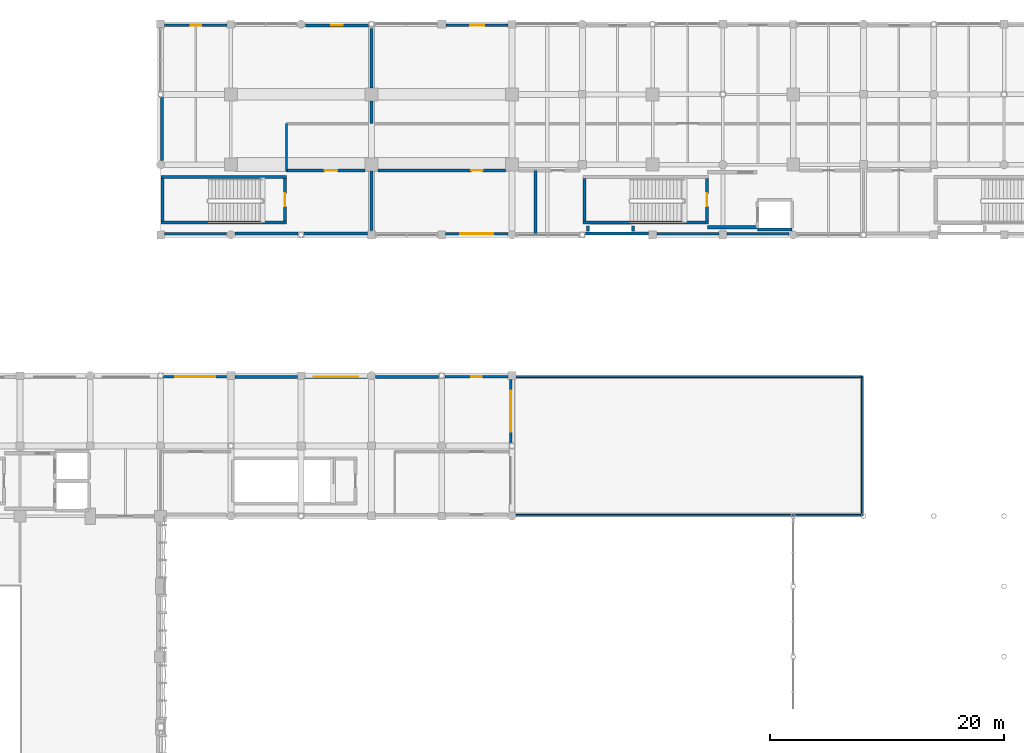
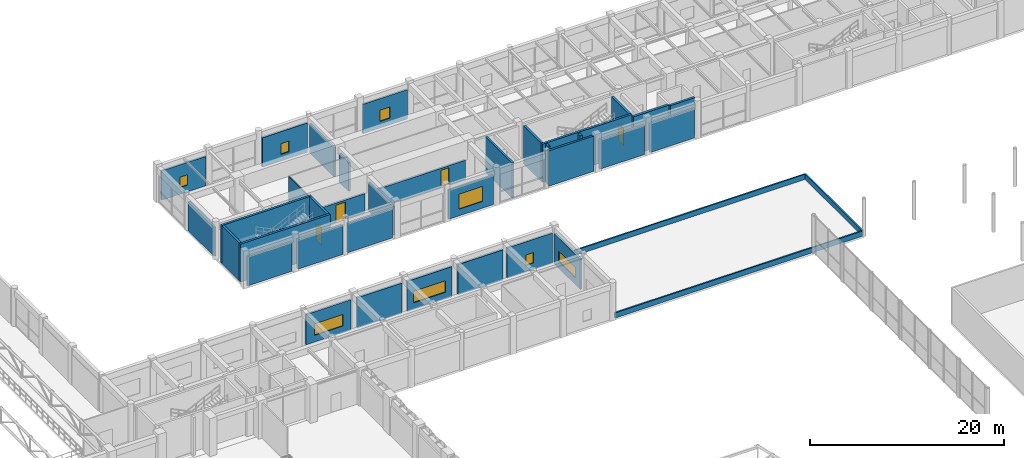
# One storey, part 100 of 123: 38 walls, 8 windows, 4 doors, 12 openings.
"""IFC4 building model written with IfcOpenShell, lengths in metres."""

from ifc_helpers import new_model, si_unit, direction, frame, frame_2d, origin, place, context, subcontext, project, spatial, rectangle, extrude, material, layer, layer_set, type_object, element, fill, save


model = new_model("IFC4")

# Units and contexts
model_context = context("Model", 3, precision=1e-05, world=origin(), true_north=direction((0.0, 1.0)))
body_context = subcontext(model_context, "Body", "Model", "MODEL_VIEW")
ifc_project = project(units=[si_unit("LENGTHUNIT", "METRE"), si_unit("AREAUNIT", "SQUARE_METRE"), si_unit("VOLUMEUNIT", "CUBIC_METRE"), si_unit("PLANEANGLEUNIT", "RADIAN"), si_unit("MASSUNIT", "GRAM", prefix="KILO"), si_unit("THERMODYNAMICTEMPERATUREUNIT", "KELVIN"), si_unit("POWERUNIT", "WATT")], contexts=[model_context])

# Site, building, storey
site_placement = place(None, origin())
site = spatial("IfcSite", under=ifc_project, at=site_placement, CompositionType="ELEMENT")
building_placement = place(site_placement, origin())
building = spatial("IfcBuilding", under=site, at=building_placement, Name="Phaisarnlok Congress Hotel", CompositionType="ELEMENT")
storey_placement = place(building_placement, frame((0.0, 0.0, 15.0)))
storey = spatial("IfcBuildingStorey", under=building, at=storey_placement, Name="L03", CompositionType="ELEMENT", Elevation=15.0)

# Wall, opening, window
ifc_material_1 = material(Name="Concrete C40/50", Category="concrete")
ifc_layer_1 = layer(ifc_material_1, 0.2099609375, Name="Concrete C40/50")
ifc_layer_set_1 = layer_set([ifc_layer_1], Name="Concrete C40/50")
wall_type_1 = type_object("IfcWallType", Name="WL-EXT-210", PredefinedType="SOLIDWALL", material=ifc_layer_set_1)
wall_1_placement = place(storey_placement, frame((95.64501953125, 95.89501953125, 0.0), z_axis=(0.0, 0.0, 1.0), x_axis=(-1.0, 0.0, 0.0)))
wall_1 = element("IfcWall", 1, at=wall_1_placement, inside=storey, type_object=wall_type_1, Name="Exterior wall EW-07 (L03)", PredefinedType="SOLIDWALL", context=body_context, shape_type="SweptSolid", body=[
    extrude(rectangle(XDim=5.385986328125, YDim=0.2099609375, at=frame_2d((2.69287109375, 0.0))), origin(), (0.0, 0.0, 1.0), 3.81005859375),
])
opening_1_placement = place(wall_1_placement, frame((2.242919921875, 0.0, 0.85009765625)))
opening_1 = element("IfcOpeningElement", 2, at=opening_1_placement, cuts=wall_1, Name="Opening W-16", PredefinedType="OPENING", context=body_context, shape_type="SweptSolid", body=[
    extrude(rectangle(XDim=0.89990234375, YDim=1.300048828125, at=frame_2d((0.449951171875, 0.64990234375))), frame((0.0, 0.114990234375, 0.0), z_axis=(0.0, -1.0, 0.0), x_axis=(1.0, 0.0, 0.0)), (0.0, 0.0, 1.0), 0.22998046875),
])
ifc_material_2 = material(Name="Thermally Broken Aluminium & Low-E Double Glazing", Category="aluminium")
window_type_1 = type_object("IfcWindowType", Name="WIN-POD-0900", PartitioningType="SINGLE_PANEL", PredefinedType="WINDOW", material=ifc_material_2)
window_1_placement = place(opening_1_placement, origin())
window_1 = element("IfcWindow", 3, at=window_1_placement, inside=storey, type_object=window_type_1, Name="Podium window W-16 (L03)", OverallHeight=1.300048828125, OverallWidth=0.89990234375, PartitioningType="SINGLE_PANEL", PredefinedType="WINDOW", context=body_context, shape_type="SweptSolid", body=[
    extrude(rectangle(XDim=0.89990234375, YDim=1.300048828125, at=frame_2d((0.449951171875, 0.64990234375))), frame((0.0, 0.030029296875, 0.0), z_axis=(0.0, -1.0, 0.0), x_axis=(1.0, 0.0, 0.0)), (0.0, 0.0, 1.0), 0.06005859375),
])
fill(opening_1, window_1)

wall_2_placement = place(storey_placement, frame((71.64501953125, 95.89501953125, 0.0), z_axis=(0.0, 0.0, 1.0), x_axis=(-1.0, 0.0, 0.0)))
wall_2 = element("IfcWall", 4, at=wall_2_placement, inside=storey, type_object=wall_type_1, Name="Exterior wall EW-07 (L03)", PredefinedType="SOLIDWALL", context=body_context, shape_type="SweptSolid", body=[
    extrude(rectangle(XDim=5.385986328125, YDim=0.2099609375, at=frame_2d((2.69287109375, 0.0))), origin(), (0.0, 0.0, 1.0), 3.81005859375),
])
opening_2_placement = place(wall_2_placement, frame((0.992919921875, 0.0, 0.85009765625)))
opening_2 = element("IfcOpeningElement", 5, at=opening_2_placement, cuts=wall_2, Name="Opening W-18", PredefinedType="OPENING", context=body_context, shape_type="SweptSolid", body=[
    extrude(rectangle(XDim=3.39990234375, YDim=1.449951171875, at=frame_2d((1.699951171875, 0.72509765625))), frame((0.0, 0.114990234375, 0.0), z_axis=(0.0, -1.0, 0.0), x_axis=(1.0, 0.0, 0.0)), (0.0, 0.0, 1.0), 0.22998046875),
])
window_type_2 = type_object("IfcWindowType", Name="WIN-RIB-3400", PartitioningType="SINGLE_PANEL", PredefinedType="WINDOW", material=ifc_material_2)
window_2_placement = place(opening_2_placement, origin())
window_2 = element("IfcWindow", 6, at=window_2_placement, inside=storey, type_object=window_type_2, Name="Podium window W-18 (L03)", OverallHeight=1.449951171875, OverallWidth=3.39990234375, PartitioningType="SINGLE_PANEL", PredefinedType="WINDOW", context=body_context, shape_type="SweptSolid", body=[
    extrude(rectangle(XDim=3.39990234375, YDim=1.449951171875, at=frame_2d((1.699951171875, 0.72509765625))), frame((0.0, 0.030029296875, 0.0), z_axis=(0.0, -1.0, 0.0), x_axis=(1.0, 0.0, 0.0)), (0.0, 0.0, 1.0), 0.06005859375),
])
fill(opening_2, window_2)

# Wall
wall_3_placement = place(storey_placement, frame((66.330078125, 108.10498046875, 0.0), z_axis=(0.0, 0.0, 1.0), x_axis=(1.0, 0.0, 0.0)))
element("IfcWall", 7, at=wall_3_placement, inside=storey, type_object=wall_type_1, Name="Exterior wall EW-07 (L03)", PredefinedType="SOLIDWALL", context=body_context, shape_type="SweptSolid", body=[
    extrude(rectangle(XDim=5.31494140625, YDim=0.2099609375, at=frame_2d((2.657470703125, 0.0))), origin(), (0.0, 0.0, 1.0), 3.699951171875),
])

# Wall, opening, window
wall_4_placement = place(storey_placement, frame((90.330078125, 108.10498046875, 0.0), z_axis=(0.0, 0.0, 1.0), x_axis=(1.0, 0.0, 0.0)))
wall_4 = element("IfcWall", 8, at=wall_4_placement, inside=storey, type_object=wall_type_1, Name="Exterior wall EW-07 (L03)", PredefinedType="SOLIDWALL", context=body_context, shape_type="SweptSolid", body=[
    extrude(rectangle(XDim=5.31494140625, YDim=0.2099609375, at=frame_2d((2.657470703125, 0.0))), origin(), (0.0, 0.0, 1.0), 3.699951171875),
])
opening_3_placement = place(wall_4_placement, frame((1.257080078125, 0.0, 0.85009765625)))
opening_3 = element("IfcOpeningElement", 9, at=opening_3_placement, cuts=wall_4, Name="Opening W-06", PredefinedType="OPENING", context=body_context, shape_type="SweptSolid", body=[
    extrude(rectangle(XDim=2.800048828125, YDim=1.89990234375, at=frame_2d((1.39990234375, 0.949951171875))), frame((0.0, 0.114990234375, 0.0), z_axis=(0.0, -1.0, 0.0), x_axis=(1.0, 0.0, 0.0)), (0.0, 0.0, 1.0), 0.22998046875),
])
window_type_3 = type_object("IfcWindowType", Name="WIN-POD-2800", PartitioningType="SINGLE_PANEL", PredefinedType="WINDOW", material=ifc_material_2)
window_3_placement = place(opening_3_placement, origin())
window_3 = element("IfcWindow", 10, at=window_3_placement, inside=storey, type_object=window_type_3, Name="Podium window W-06 (L03)", OverallHeight=1.89990234375, OverallWidth=2.800048828125, PartitioningType="SINGLE_PANEL", PredefinedType="WINDOW", context=body_context, shape_type="SweptSolid", body=[
    extrude(rectangle(XDim=2.800048828125, YDim=1.89990234375, at=frame_2d((1.39990234375, 0.949951171875))), frame((0.0, 0.030029296875, 0.0), z_axis=(0.0, -1.0, 0.0), x_axis=(1.0, 0.0, 0.0)), (0.0, 0.0, 1.0), 0.06005859375),
])
fill(opening_3, window_3)

# Wall
wall_5_placement = place(storey_placement, frame((114.330078125, 108.10498046875, 0.0), z_axis=(0.0, 0.0, 1.0), x_axis=(1.0, 0.0, 0.0)))
element("IfcWall", 11, at=wall_5_placement, inside=storey, type_object=wall_type_1, Name="Exterior wall EW-07 (L03)", PredefinedType="SOLIDWALL", context=body_context, shape_type="SweptSolid", body=[
    extrude(rectangle(XDim=5.31494140625, YDim=0.2099609375, at=frame_2d((2.657470703125, 0.0))), origin(), (0.0, 0.0, 1.0), 3.699951171875),
])

# Wall, opening, window
wall_6_placement = place(storey_placement, frame((95.669921875, 125.89501953125, 0.0), z_axis=(0.0, 0.0, 1.0), x_axis=(-1.0, 0.0, 0.0)))
wall_6 = element("IfcWall", 12, at=wall_6_placement, inside=storey, type_object=wall_type_1, Name="Exterior wall EW-07 (L03)", PredefinedType="SOLIDWALL", context=body_context, shape_type="SweptSolid", body=[
    extrude(rectangle(XDim=5.31494140625, YDim=0.2099609375, at=frame_2d((2.657470703125, 0.0))), origin(), (0.0, 0.0, 1.0), 3.699951171875),
])
opening_4_placement = place(wall_6_placement, frame((2.056884765625, 0.0, 0.85009765625)))
opening_4 = element("IfcOpeningElement", 13, at=opening_4_placement, cuts=wall_6, Name="Opening W-14", PredefinedType="OPENING", context=body_context, shape_type="SweptSolid", body=[
    extrude(rectangle(XDim=1.199951171875, YDim=1.39990234375, at=frame_2d((0.60009765625, 0.699951171875))), frame((0.0, 0.114990234375, 0.0), z_axis=(0.0, -1.0, 0.0), x_axis=(1.0, 0.0, 0.0)), (0.0, 0.0, 1.0), 0.22998046875),
])
window_type_4 = type_object("IfcWindowType", Name="WIN-POD-1200", PartitioningType="SINGLE_PANEL", PredefinedType="WINDOW", material=ifc_material_2)
window_4_placement = place(opening_4_placement, origin())
window_4 = element("IfcWindow", 14, at=window_4_placement, inside=storey, type_object=window_type_4, Name="Podium window W-14 (L03)", OverallHeight=1.39990234375, OverallWidth=1.199951171875, PartitioningType="SINGLE_PANEL", PredefinedType="WINDOW", context=body_context, shape_type="SweptSolid", body=[
    extrude(rectangle(XDim=1.199951171875, YDim=1.39990234375, at=frame_2d((0.60009765625, 0.699951171875))), frame((0.0, 0.030029296875, 0.0), z_axis=(0.0, -1.0, 0.0), x_axis=(1.0, 0.0, 0.0)), (0.0, 0.0, 1.0), 0.06005859375),
])
fill(opening_4, window_4)

wall_7_placement = place(storey_placement, frame((71.669921875, 125.89501953125, 0.0), z_axis=(0.0, 0.0, 1.0), x_axis=(-1.0, 0.0, 0.0)))
wall_7 = element("IfcWall", 15, at=wall_7_placement, inside=storey, type_object=wall_type_1, Name="Exterior wall EW-07 (L03)", PredefinedType="SOLIDWALL", context=body_context, shape_type="SweptSolid", body=[
    extrude(rectangle(XDim=5.31494140625, YDim=0.2099609375, at=frame_2d((2.657470703125, 0.0))), origin(), (0.0, 0.0, 1.0), 3.699951171875),
])
opening_5_placement = place(wall_7_placement, frame((2.20703125, 0.0, 0.85009765625)))
opening_5 = element("IfcOpeningElement", 16, at=opening_5_placement, cuts=wall_7, Name="Opening W-16", PredefinedType="OPENING", context=body_context, shape_type="SweptSolid", body=[
    extrude(rectangle(XDim=0.89990234375, YDim=1.300048828125, at=frame_2d((0.449951171875, 0.64990234375))), frame((0.0, 0.114990234375, 0.0), z_axis=(0.0, -1.0, 0.0), x_axis=(1.0, 0.0, 0.0)), (0.0, 0.0, 1.0), 0.22998046875),
])
window_5_placement = place(opening_5_placement, origin())
window_5 = element("IfcWindow", 17, at=window_5_placement, inside=storey, type_object=window_type_1, Name="Podium window W-16 (L03)", OverallHeight=1.300048828125, OverallWidth=0.89990234375, PartitioningType="SINGLE_PANEL", PredefinedType="WINDOW", context=body_context, shape_type="SweptSolid", body=[
    extrude(rectangle(XDim=0.89990234375, YDim=1.300048828125, at=frame_2d((0.449951171875, 0.64990234375))), frame((0.0, 0.030029296875, 0.0), z_axis=(0.0, -1.0, 0.0), x_axis=(1.0, 0.0, 0.0)), (0.0, 0.0, 1.0), 0.06005859375),
])
fill(opening_5, window_5)

ifc_layer_2 = layer(ifc_material_1, 0.22998046875, Name="Concrete C40/50")
ifc_layer_set_2 = layer_set([ifc_layer_2], Name="Concrete C40/50")
wall_type_2 = type_object("IfcWallType", Name="WL-EXT-230", PredefinedType="SOLIDWALL", material=ifc_layer_set_2)
wall_8_placement = place(storey_placement, frame((95.885009765625, 90.259033203125, 0.0), z_axis=(0.0, 0.0, 1.0), x_axis=(0.0, 1.0, 0.0)))
wall_8 = element("IfcWall", 18, at=wall_8_placement, inside=storey, type_object=wall_type_2, Name="Exterior wall EW-06 (L03)", PredefinedType="SOLIDWALL", context=body_context, shape_type="SweptSolid", body=[
    extrude(rectangle(XDim=5.385986328125, YDim=0.22998046875, at=frame_2d((2.69287109375, 0.0))), origin(), (0.0, 0.0, 1.0), 3.81005859375),
])
opening_6_placement = place(wall_8_placement, frame((0.943115234375, 0.0, 0.85009765625)))
opening_6 = element("IfcOpeningElement", 19, at=opening_6_placement, cuts=wall_8, Name="Opening W-20", PredefinedType="OPENING", context=body_context, shape_type="SweptSolid", body=[
    extrude(rectangle(XDim=3.5, YDim=1.300048828125, at=frame_2d((1.75, 0.64990234375))), frame((0.0, 0.125, 0.0), z_axis=(0.0, -1.0, 0.0), x_axis=(1.0, 0.0, 0.0)), (0.0, 0.0, 1.0), 0.25),
])
window_type_5 = type_object("IfcWindowType", Name="WIN-CLER-3500", PartitioningType="SINGLE_PANEL", PredefinedType="WINDOW", material=ifc_material_2)
window_6_placement = place(opening_6_placement, origin())
window_6 = element("IfcWindow", 20, at=window_6_placement, inside=storey, type_object=window_type_5, Name="Podium window W-20 (L03)", OverallHeight=1.300048828125, OverallWidth=3.5, PartitioningType="SINGLE_PANEL", PredefinedType="WINDOW", context=body_context, shape_type="SweptSolid", body=[
    extrude(rectangle(XDim=3.5, YDim=1.300048828125, at=frame_2d((1.75, 0.64990234375))), frame((0.0, 0.030029296875, 0.0), z_axis=(0.0, -1.0, 0.0), x_axis=(1.0, 0.0, 0.0)), (0.0, 0.0, 1.0), 0.06005859375),
])
fill(opening_6, window_6)

# Walls
wall_9_placement = place(storey_placement, frame((77.669921875, 95.885009765625, 0.0), z_axis=(0.0, 0.0, 1.0), x_axis=(-1.0, 0.0, 0.0)))
element("IfcWall", 21, at=wall_9_placement, inside=storey, type_object=wall_type_2, Name="Exterior wall EW-06 (L03)", PredefinedType="SOLIDWALL", context=body_context, shape_type="SweptSolid", body=[
    extrude(rectangle(XDim=5.31494140625, YDim=0.22998046875, at=frame_2d((2.657470703125, 0.0))), origin(), (0.0, 0.0, 1.0), 3.81005859375),
])
wall_10_placement = place(storey_placement, frame((108.35498046875, 108.114990234375, 0.0), z_axis=(0.0, 0.0, 1.0), x_axis=(1.0, 0.0, 0.0)))
element("IfcWall", 22, at=wall_10_placement, inside=storey, type_object=wall_type_2, Name="Exterior wall EW-06 (L03)", PredefinedType="SOLIDWALL", context=body_context, shape_type="SweptSolid", body=[
    extrude(rectangle(XDim=5.31494140625, YDim=0.22998046875, at=frame_2d((2.657470703125, 0.0))), origin(), (0.0, 0.0, 1.0), 3.699951171875),
])

# Wall, opening, window
ifc_layer_3 = layer(ifc_material_1, 0.25, Name="Concrete C40/50")
ifc_layer_set_3 = layer_set([ifc_layer_3], Name="Concrete C40/50")
wall_type_3 = type_object("IfcWallType", Name="WL-EXT-250", PredefinedType="SOLIDWALL", material=ifc_layer_set_3)
wall_11_placement = place(storey_placement, frame((83.64501953125, 95.875, 0.0), z_axis=(0.0, 0.0, 1.0), x_axis=(-1.0, 0.0, 0.0)))
wall_11 = element("IfcWall", 23, at=wall_11_placement, inside=storey, type_object=wall_type_3, Name="Exterior wall EW-05 (L03)", PredefinedType="SOLIDWALL", context=body_context, shape_type="SweptSolid", body=[
    extrude(rectangle(XDim=5.31494140625, YDim=0.25, at=frame_2d((2.657470703125, 0.0))), origin(), (0.0, 0.0, 1.0), 3.81005859375),
])
opening_7_placement = place(wall_11_placement, frame((0.757080078125, 0.0, 0.85009765625)))
opening_7 = element("IfcOpeningElement", 24, at=opening_7_placement, cuts=wall_11, Name="Opening W-17", PredefinedType="OPENING", context=body_context, shape_type="SweptSolid", body=[
    extrude(rectangle(XDim=3.800048828125, YDim=1.449951171875, at=frame_2d((1.89990234375, 0.72509765625))), frame((0.0, 0.135009765625, 0.0), z_axis=(0.0, -1.0, 0.0), x_axis=(1.0, 0.0, 0.0)), (0.0, 0.0, 1.0), 0.27001953125),
])
window_type_6 = type_object("IfcWindowType", Name="WIN-RIB-3800", PartitioningType="SINGLE_PANEL", PredefinedType="WINDOW", material=ifc_material_2)
window_7_placement = place(opening_7_placement, origin())
window_7 = element("IfcWindow", 25, at=window_7_placement, inside=storey, type_object=window_type_6, Name="Podium window W-17 (L03)", OverallHeight=1.449951171875, OverallWidth=3.800048828125, PartitioningType="SINGLE_PANEL", PredefinedType="WINDOW", context=body_context, shape_type="SweptSolid", body=[
    extrude(rectangle(XDim=3.800048828125, YDim=1.449951171875, at=frame_2d((1.89990234375, 0.72509765625))), frame((0.0, 0.030029296875, 0.0), z_axis=(0.0, -1.0, 0.0), x_axis=(1.0, 0.0, 0.0)), (0.0, 0.0, 1.0), 0.06005859375),
])
fill(opening_7, window_7)

# Walls
wall_12_placement = place(storey_placement, frame((78.259033203125, 108.125, 0.0), z_axis=(0.0, 0.0, 1.0), x_axis=(1.0, 0.0, 0.0)))
element("IfcWall", 26, at=wall_12_placement, inside=storey, type_object=wall_type_3, Name="Exterior wall EW-05 (L03)", PredefinedType="SOLIDWALL", context=body_context, shape_type="SweptSolid", body=[
    extrude(rectangle(XDim=5.385986328125, YDim=0.25, at=frame_2d((2.69287109375, 0.0))), origin(), (0.0, 0.0, 1.0), 3.699951171875),
])
wall_13_placement = place(storey_placement, frame((102.259033203125, 108.125, 0.0), z_axis=(0.0, 0.0, 1.0), x_axis=(1.0, 0.0, 0.0)))
element("IfcWall", 27, at=wall_13_placement, inside=storey, type_object=wall_type_3, Name="Exterior wall EW-05 (L03)", PredefinedType="SOLIDWALL", context=body_context, shape_type="SweptSolid", body=[
    extrude(rectangle(XDim=5.385986328125, YDim=0.25, at=frame_2d((2.69287109375, 0.0))), origin(), (0.0, 0.0, 1.0), 4.449951171875),
])

# Wall, opening, window
wall_14_placement = place(storey_placement, frame((83.740966796875, 125.875, 0.0), z_axis=(0.0, 0.0, 1.0), x_axis=(-1.0, 0.0, 0.0)))
wall_14 = element("IfcWall", 28, at=wall_14_placement, inside=storey, type_object=wall_type_3, Name="Exterior wall EW-05 (L03)", PredefinedType="SOLIDWALL", context=body_context, shape_type="SweptSolid", body=[
    extrude(rectangle(XDim=5.385986328125, YDim=0.25, at=frame_2d((2.69287109375, 0.0))), origin(), (0.0, 0.0, 1.0), 3.699951171875),
])
opening_8_placement = place(wall_14_placement, frame((2.193115234375, 0.0, 0.85009765625)))
opening_8 = element("IfcOpeningElement", 29, at=opening_8_placement, cuts=wall_14, Name="Opening W-15", PredefinedType="OPENING", context=body_context, shape_type="SweptSolid", body=[
    extrude(rectangle(XDim=1.0, YDim=1.35009765625, at=frame_2d((0.5, 0.675048828125))), frame((0.0, 0.135009765625, 0.0), z_axis=(0.0, -1.0, 0.0), x_axis=(1.0, 0.0, 0.0)), (0.0, 0.0, 1.0), 0.27001953125),
])
window_type_7 = type_object("IfcWindowType", Name="WIN-POD-1000", PartitioningType="SINGLE_PANEL", PredefinedType="WINDOW", material=ifc_material_2)
window_8_placement = place(opening_8_placement, origin())
window_8 = element("IfcWindow", 30, at=window_8_placement, inside=storey, type_object=window_type_7, Name="Podium window W-15 (L03)", OverallHeight=1.35009765625, OverallWidth=1.0, PartitioningType="SINGLE_PANEL", PredefinedType="WINDOW", context=body_context, shape_type="SweptSolid", body=[
    extrude(rectangle(XDim=1.0, YDim=1.35009765625, at=frame_2d((0.5, 0.675048828125))), frame((0.0, 0.030029296875, 0.0), z_axis=(0.0, -1.0, 0.0), x_axis=(1.0, 0.0, 0.0)), (0.0, 0.0, 1.0), 0.06005859375),
])
fill(opening_8, window_8)

# Walls
wall_15_placement = place(storey_placement, frame((66.125, 119.740966796875, 0.0), z_axis=(0.0, 0.0, 1.0), x_axis=(0.0, -1.0, 0.0)))
element("IfcWall", 31, at=wall_15_placement, inside=storey, type_object=wall_type_3, Name="Exterior wall EW-05 (L03)", PredefinedType="SOLIDWALL", context=body_context, shape_type="SweptSolid", body=[
    extrude(rectangle(XDim=5.385986328125, YDim=0.25, at=frame_2d((2.69287109375, 0.0))), origin(), (0.0, 0.0, 1.0), 3.64990234375),
])
ifc_layer_4 = layer(ifc_material_1, 0.27001953125, Name="Concrete C40/50")
ifc_layer_set_4 = layer_set([ifc_layer_4], Name="Concrete C40/50")
wall_type_4 = type_object("IfcWallType", Name="WL-EXT-270", PredefinedType="SOLIDWALL", material=ifc_layer_set_4)
wall_16_placement = place(storey_placement, frame((89.740966796875, 95.864990234375, 0.0), z_axis=(0.0, 0.0, 1.0), x_axis=(-1.0, 0.0, 0.0)))
element("IfcWall", 32, at=wall_16_placement, inside=storey, type_object=wall_type_4, Name="Exterior wall EW-04 (L03)", PredefinedType="SOLIDWALL", context=body_context, shape_type="SweptSolid", body=[
    extrude(rectangle(XDim=5.385986328125, YDim=0.27001953125, at=frame_2d((2.69287109375, 0.0))), origin(), (0.0, 0.0, 1.0), 3.81005859375),
])
wall_17_placement = place(storey_placement, frame((72.35498046875, 108.135009765625, 0.0), z_axis=(0.0, 0.0, 1.0), x_axis=(1.0, 0.0, 0.0)))
element("IfcWall", 33, at=wall_17_placement, inside=storey, type_object=wall_type_4, Name="Exterior wall EW-04 (L03)", PredefinedType="SOLIDWALL", context=body_context, shape_type="SweptSolid", body=[
    extrude(rectangle(XDim=5.385986328125, YDim=0.27001953125, at=frame_2d((2.69287109375, 0.0))), origin(), (0.0, 0.0, 1.0), 3.699951171875),
])
ifc_material_3 = material(Name="Moisture-Resistant Gypsum Partition", Category="gypsum")
ifc_layer_5 = layer(ifc_material_3, 0.135009765625, Name="Moisture-Resistant Gypsum Partition")
ifc_layer_set_5 = layer_set([ifc_layer_5], Name="Moisture-Resistant Gypsum Partition")
wall_type_5 = type_object("IfcWallType", Name="WL-INT-135", PredefinedType="PARTITIONING", material=ifc_layer_set_5)
wall_18_placement = place(storey_placement, frame((76.75, 113.5, 0.0), z_axis=(0.0, 0.0, 1.0), x_axis=(0.0, 1.0, 0.0)))
element("IfcWall", 34, at=wall_18_placement, inside=storey, type_object=wall_type_5, Name="Interior partition wall IW-06 (L03)", PredefinedType="PARTITIONING", context=body_context, shape_type="SweptSolid", body=[
    extrude(rectangle(XDim=4.0, YDim=0.135009765625, at=frame_2d((2.0, 0.0))), origin(), (0.0, 0.0, 1.0), 4.449951171875),
])
ifc_layer_6 = layer(ifc_material_1, 0.239990234375, Name="Concrete C40/50")
ifc_layer_set_6 = layer_set([ifc_layer_6], Name="Concrete C40/50")
wall_type_6 = type_object("IfcWallType", Name="WL-INT-240", PredefinedType="PARTITIONING", material=ifc_layer_set_6)
wall_19_placement = place(storey_placement, frame((84.0, 108.3701171875, 0.0), z_axis=(0.0, 0.0, 1.0), x_axis=(0.0, 1.0, 0.0)))
element("IfcWall", 35, at=wall_19_placement, inside=storey, type_object=wall_type_6, Name="Interior partition wall IW-01 (L03)", PredefinedType="PARTITIONING", context=body_context, shape_type="SweptSolid", body=[
    extrude(rectangle(XDim=5.074951171875, YDim=0.239990234375, at=frame_2d((2.53759765625, 0.0))), origin(), (0.0, 0.0, 1.0), 3.64990234375),
])
wall_20_placement = place(storey_placement, frame((84.0, 117.5, 0.0), z_axis=(0.0, 0.0, 1.0), x_axis=(0.0, 1.0, 0.0)))
element("IfcWall", 36, at=wall_20_placement, inside=storey, type_object=wall_type_6, Name="Interior partition wall IW-01 (L03)", PredefinedType="PARTITIONING", context=body_context, shape_type="SweptSolid", body=[
    extrude(rectangle(XDim=1.945068359375, YDim=0.239990234375, at=frame_2d((0.97265625, 0.0))), origin(), (0.0, 0.0, 1.0), 3.64990234375),
])
wall_21_placement = place(storey_placement, frame((84.0, 120.554931640625, 0.0), z_axis=(0.0, 0.0, 1.0), x_axis=(0.0, 1.0, 0.0)))
element("IfcWall", 37, at=wall_21_placement, inside=storey, type_object=wall_type_6, Name="Interior partition wall IW-01 (L03)", PredefinedType="PARTITIONING", context=body_context, shape_type="SweptSolid", body=[
    extrude(rectangle(XDim=5.074951171875, YDim=0.239990234375, at=frame_2d((2.53759765625, 0.0))), origin(), (0.0, 0.0, 1.0), 3.64990234375),
])
wall_22_placement = place(storey_placement, frame((98.0, 108.044921875, 0.0), z_axis=(0.0, 0.0, 1.0), x_axis=(0.0, 1.0, 0.0)))
element("IfcWall", 38, at=wall_22_placement, inside=storey, type_object=wall_type_6, Name="Interior partition wall IW-01 (L03)", PredefinedType="PARTITIONING", context=body_context, shape_type="SweptSolid", body=[
    extrude(rectangle(XDim=5.455078125, YDim=0.239990234375, at=frame_2d((2.7275390625, 0.0))), origin(), (0.0, 0.0, 1.0), 4.449951171875),
])

# Wall, opening, door
wall_23_placement = place(storey_placement, frame((76.75, 113.5, 0.0), z_axis=(0.0, 0.0, 1.0), x_axis=(1.0, 0.0, 0.0)))
wall_23 = element("IfcWall", 39, at=wall_23_placement, inside=storey, type_object=wall_type_6, Name="Interior partition wall IW-01 (L03)", PredefinedType="PARTITIONING", context=body_context, shape_type="SweptSolid", body=[
    extrude(rectangle(XDim=6.695068359375, YDim=0.239990234375, at=frame_2d((3.34765625, 0.0))), origin(), (0.0, 0.0, 1.0), 2.39990234375),
])
opening_9_placement = place(wall_23_placement, frame((3.25, 0.0, 0.0)))
opening_9 = element("IfcOpeningElement", 40, at=opening_9_placement, cuts=wall_23, Name="Opening D-0127", PredefinedType="OPENING", context=body_context, shape_type="SweptSolid", body=[
    extrude(rectangle(XDim=1.10009765625, YDim=2.14990234375, at=frame_2d((0.550048828125, 1.074951171875))), frame((0.0, 0.1298828125, 0.0), z_axis=(0.0, -1.0, 0.0), x_axis=(1.0, 0.0, 0.0)), (0.0, 0.0, 1.0), 0.260009765625),
])
ifc_material_4 = material(Name="Fire-Rated Steel Frame & Timber Leaf", Category="steel")
door_type_1 = type_object("IfcDoorType", Name="DR-FD60-1100", OperationType="NOTDEFINED", PredefinedType="DOOR", material=ifc_material_4)
door_1_placement = place(opening_9_placement, origin())
door_1 = element("IfcDoor", 41, at=door_1_placement, inside=storey, type_object=door_type_1, Name="Interior door D-0127 (L03)", OperationType="SINGLE_SWING_LEFT", OverallHeight=2.14990234375, OverallWidth=1.10009765625, PredefinedType="DOOR", context=body_context, shape_type="SweptSolid", body=[
    extrude(rectangle(XDim=1.10009765625, YDim=2.14990234375, at=frame_2d((0.550048828125, 1.074951171875))), frame((0.0, 0.02490234375, 0.0), z_axis=(0.0, -1.0, 0.0), x_axis=(1.0, 0.0, 0.0)), (0.0, 0.0, 1.0), 0.050048828125),
])
fill(opening_9, door_1)

wall_24_placement = place(storey_placement, frame((84.554931640625, 113.5, 0.0), z_axis=(0.0, 0.0, 1.0), x_axis=(1.0, 0.0, 0.0)))
wall_24 = element("IfcWall", 42, at=wall_24_placement, inside=storey, type_object=wall_type_6, Name="Interior partition wall IW-01 (L03)", PredefinedType="PARTITIONING", context=body_context, shape_type="SweptSolid", body=[
    extrude(rectangle(XDim=10.89013671875, YDim=0.239990234375, at=frame_2d((5.445068359375, 0.0))), origin(), (0.0, 0.0, 1.0), 2.39990234375),
])
opening_10_placement = place(wall_24_placement, frame((7.965087890625, 0.0, 0.0)))
opening_10 = element("IfcOpeningElement", 43, at=opening_10_placement, cuts=wall_24, Name="Opening D-0122", PredefinedType="OPENING", context=body_context, shape_type="SweptSolid", body=[
    extrude(rectangle(XDim=0.9599609375, YDim=2.14990234375, at=frame_2d((0.47998046875, 1.074951171875))), frame((0.0, 0.1298828125, 0.0), z_axis=(0.0, -1.0, 0.0), x_axis=(1.0, 0.0, 0.0)), (0.0, 0.0, 1.0), 0.260009765625),
])
door_type_2 = type_object("IfcDoorType", Name="DR-FD60-950", OperationType="NOTDEFINED", PredefinedType="DOOR", material=ifc_material_4)
door_2_placement = place(opening_10_placement, origin())
door_2 = element("IfcDoor", 44, at=door_2_placement, inside=storey, type_object=door_type_2, Name="Interior door D-0122 (L03)", OperationType="SINGLE_SWING_RIGHT", OverallHeight=2.14990234375, OverallWidth=0.9599609375, PredefinedType="DOOR", context=body_context, shape_type="SweptSolid", body=[
    extrude(rectangle(XDim=0.9599609375, YDim=2.14990234375, at=frame_2d((0.47998046875, 1.074951171875))), frame((0.0, 0.02490234375, 0.0), z_axis=(0.0, -1.0, 0.0), x_axis=(1.0, 0.0, 0.0)), (0.0, 0.0, 1.0), 0.050048828125),
])
fill(opening_10, door_2)

# Walls
ifc_layer_7 = layer(ifc_material_1, 0.169921875, Name="Concrete C40/50")
ifc_layer_set_7 = layer_set([ifc_layer_7], Name="Concrete C40/50")
wall_type_7 = type_object("IfcWallType", Name="WL-PAR-170", PredefinedType="PARAPET", material=ifc_layer_set_7)
wall_25_placement = place(storey_placement, frame((125.909912109375, 84.090087890625, 0.0), z_axis=(0.0, 0.0, 1.0), x_axis=(0.0, 1.0, 0.0)))
element("IfcWall", 45, at=wall_25_placement, inside=storey, type_object=wall_type_7, Name="Podium roof parapet WP-02 (L03)", PredefinedType="PARAPET", context=body_context, shape_type="SweptSolid", body=[
    extrude(rectangle(XDim=11.81982421875, YDim=0.169921875, at=frame_2d((5.909912109375, 0.0))), origin(), (0.0, 0.0, 1.0), 0.64990234375),
])
for number, where, z_axis, x_axis, name in (
    (46, (125.909912109375, 95.909912109375, 0.0), (0.0, 0.0, 1.0), (-1.0, 0.0, 0.0), "Podium roof parapet WP-02 (L03)"),
    (47, (96.300048828125, 84.090087890625, 0.0), (0.0, 0.0, 1.0), (1.0, 0.0, 0.0), "Podium roof parapet WP-02 (L03)"),
):
    element("IfcWall", number, at=place(storey_placement, frame(where, z_axis=z_axis, x_axis=x_axis)), inside=storey, type_object=wall_type_7, Name=name, PredefinedType="PARAPET", context=body_context, shape_type="SweptSolid", body=[
        extrude(rectangle(XDim=29.60986328125, YDim=0.169921875, at=frame_2d((14.804931640625, 0.0))), origin(), (0.0, 0.0, 1.0), 0.64990234375),
    ])
ifc_material_5 = material(Name="Concrete C50/60", Category="concrete")
ifc_layer_8 = layer(ifc_material_5, 0.260009765625, Name="Concrete C50/60")
ifc_layer_set_8 = layer_set([ifc_layer_8], Name="Concrete C50/60")
wall_type_8 = type_object("IfcWallType", Name="WL-SHR-260", PredefinedType="SHEAR", material=ifc_layer_set_8)
wall_26_placement = place(storey_placement, frame((102.0400390625, 109.070068359375, 0.0), z_axis=(0.0, 0.0, 1.0), x_axis=(1.0, 0.0, 0.0)))
element("IfcWall", 48, at=wall_26_placement, inside=storey, type_object=wall_type_8, Name="Stair shaft shear wall SW-04 (CORE-4 L03)", PredefinedType="SHEAR", context=body_context, shape_type="SweptSolid", body=[
    extrude(rectangle(XDim=10.719970703125, YDim=0.260009765625, at=frame_2d((5.35986328125, 0.0))), origin(), (0.0, 0.0, 1.0), 4.800048828125),
])
wall_27_placement = place(storey_placement, frame((102.169921875, 109.199951171875, 0.0), z_axis=(0.0, 0.0, 1.0), x_axis=(0.0, 1.0, 0.0)))
element("IfcWall", 49, at=wall_27_placement, inside=storey, type_object=wall_type_8, Name="Stair shaft shear wall SW-04 (CORE-4 L03)", PredefinedType="SHEAR", context=body_context, shape_type="SweptSolid", body=[
    extrude(rectangle(XDim=3.60009765625, YDim=0.260009765625, at=frame_2d((1.800048828125, 0.0))), origin(), (0.0, 0.0, 1.0), 4.800048828125),
])

# Wall, opening, door
wall_28_placement = place(storey_placement, frame((112.6298828125, 109.199951171875, 0.0), z_axis=(0.0, 0.0, 1.0), x_axis=(0.0, 1.0, 0.0)))
wall_28 = element("IfcWall", 50, at=wall_28_placement, inside=storey, type_object=wall_type_8, Name="Stair shaft shear wall SW-04 (CORE-4 L03)", PredefinedType="SHEAR", context=body_context, shape_type="SweptSolid", body=[
    extrude(rectangle(XDim=3.60009765625, YDim=0.260009765625, at=frame_2d((1.800048828125, 0.0))), origin(), (0.0, 0.0, 1.0), 4.800048828125),
])
opening_11_placement = place(wall_28_placement, frame((1.25, 0.0, 0.0)))
opening_11 = element("IfcOpeningElement", 51, at=opening_11_placement, cuts=wall_28, Name="Opening FD-095", PredefinedType="OPENING", context=body_context, shape_type="SweptSolid", body=[
    extrude(rectangle(XDim=1.10009765625, YDim=2.14990234375, at=frame_2d((0.550048828125, 1.074951171875))), frame((0.0, 0.14013671875, 0.0), z_axis=(0.0, -1.0, 0.0), x_axis=(1.0, 0.0, 0.0)), (0.0, 0.0, 1.0), 0.280029296875),
])
door_3_placement = place(opening_11_placement, origin())
door_3 = element("IfcDoor", 52, at=door_3_placement, inside=storey, type_object=door_type_1, Name="Stair enclosure fire door FD-095 (L03)", OperationType="SINGLE_SWING_RIGHT", OverallHeight=2.14990234375, OverallWidth=1.10009765625, PredefinedType="DOOR", context=body_context, shape_type="SweptSolid", body=[
    extrude(rectangle(XDim=1.10009765625, YDim=2.14990234375, at=frame_2d((0.550048828125, 1.074951171875))), frame((0.0, 0.02490234375, 0.0), z_axis=(0.0, -1.0, 0.0), x_axis=(1.0, 0.0, 0.0)), (0.0, 0.0, 1.0), 0.050048828125),
])
fill(opening_11, door_3)

# Walls
wall_29_placement = place(storey_placement, frame((116.969970703125, 108.469970703125, 0.0), z_axis=(0.0, 0.0, 1.0), x_axis=(1.0, 0.0, 0.0)))
element("IfcWall", 53, at=wall_29_placement, inside=storey, type_object=wall_type_8, Name="Lift shaft shear wall SW-04 (LF-HP4 L03)", PredefinedType="SHEAR", context=body_context, shape_type="SweptSolid", body=[
    extrude(rectangle(XDim=2.909912109375, YDim=0.260009765625, at=frame_2d((1.455078125, 0.0))), origin(), (0.0, 0.0, 1.0), 4.800048828125),
])
for number, where, z_axis, x_axis, name in (
    (54, (102.469970703125, 108.330078125, 0.0), (0.0, 0.0, 1.0), (0.0, 1.0, 0.0), "Service riser shaft wall SW-04 (CORE-4 L03)"),
    (55, (106.330078125, 108.330078125, 0.0), (0.0, 0.0, 1.0), (0.0, 1.0, 0.0), "Service riser shaft wall SW-04 (CORE-4 L03)"),
):
    element("IfcWall", number, at=place(storey_placement, frame(where, z_axis=z_axis, x_axis=x_axis)), inside=storey, type_object=wall_type_8, Name=name, PredefinedType="SHEAR", context=body_context, shape_type="SweptSolid", body=[
        extrude(rectangle(XDim=0.43994140625, YDim=0.260009765625, at=frame_2d((0.219970703125, 0.0))), origin(), (0.0, 0.0, 1.0), 4.800048828125),
    ])
for number, where, z_axis, x_axis, name in (
    (56, (66.0400390625, 109.070068359375, 0.0), (0.0, 0.0, 1.0), (1.0, 0.0, 0.0), "Stair shaft shear wall SW-04 (STAIR-HW L03)"),
    (57, (66.0400390625, 112.929931640625, 0.0), (0.0, 0.0, 1.0), (1.0, 0.0, 0.0), "Stair shaft shear wall SW-04 (STAIR-HW L03)"),
):
    element("IfcWall", number, at=place(storey_placement, frame(where, z_axis=z_axis, x_axis=x_axis)), inside=storey, type_object=wall_type_8, Name=name, PredefinedType="SHEAR", context=body_context, shape_type="SweptSolid", body=[
        extrude(rectangle(XDim=10.719970703125, YDim=0.260009765625, at=frame_2d((5.35986328125, 0.0))), origin(), (0.0, 0.0, 1.0), 4.800048828125),
    ])

# Wall, opening, door
wall_30_placement = place(storey_placement, frame((76.6298828125, 109.199951171875, 0.0), z_axis=(0.0, 0.0, 1.0), x_axis=(0.0, 1.0, 0.0)))
wall_30 = element("IfcWall", 58, at=wall_30_placement, inside=storey, type_object=wall_type_8, Name="Stair shaft shear wall SW-04 (STAIR-HW L03)", PredefinedType="SHEAR", context=body_context, shape_type="SweptSolid", body=[
    extrude(rectangle(XDim=3.60009765625, YDim=0.260009765625, at=frame_2d((1.800048828125, 0.0))), origin(), (0.0, 0.0, 1.0), 4.800048828125),
])
opening_12_placement = place(wall_30_placement, frame((1.25, 0.0, 0.0)))
opening_12 = element("IfcOpeningElement", 59, at=opening_12_placement, cuts=wall_30, Name="Opening FD-149", PredefinedType="OPENING", context=body_context, shape_type="SweptSolid", body=[
    extrude(rectangle(XDim=1.10009765625, YDim=2.14990234375, at=frame_2d((0.550048828125, 1.074951171875))), frame((0.0, 0.14013671875, 0.0), z_axis=(0.0, -1.0, 0.0), x_axis=(1.0, 0.0, 0.0)), (0.0, 0.0, 1.0), 0.280029296875),
])
door_4_placement = place(opening_12_placement, origin())
door_4 = element("IfcDoor", 60, at=door_4_placement, inside=storey, type_object=door_type_1, Name="Stair enclosure fire door FD-149 (L03)", OperationType="SINGLE_SWING_RIGHT", OverallHeight=2.14990234375, OverallWidth=1.10009765625, PredefinedType="DOOR", context=body_context, shape_type="SweptSolid", body=[
    extrude(rectangle(XDim=1.10009765625, YDim=2.14990234375, at=frame_2d((0.550048828125, 1.074951171875))), frame((0.0, 0.02490234375, 0.0), z_axis=(0.0, -1.0, 0.0), x_axis=(1.0, 0.0, 0.0)), (0.0, 0.0, 1.0), 0.050048828125),
])
fill(opening_12, door_4)

# Walls
ifc_layer_9 = layer(ifc_material_5, 0.260009765625, Name="Concrete C50/60")
ifc_layer_set_9 = layer_set([ifc_layer_9], Name="Concrete C50/60")
wall_type_9 = type_object("IfcWallType", Name="WL-SHR-260-EXT", PredefinedType="SHEAR", material=ifc_layer_set_9)
wall_31_placement = place(storey_placement, frame((66.169921875, 109.199951171875, 0.0), z_axis=(0.0, 0.0, 1.0), x_axis=(0.0, 1.0, 0.0)))
element("IfcWall", 61, at=wall_31_placement, inside=storey, type_object=wall_type_9, Name="Stair shaft shear wall SW-04E (STAIR-HW L03)", PredefinedType="SHEAR", context=body_context, shape_type="SweptSolid", body=[
    extrude(rectangle(XDim=3.60009765625, YDim=0.260009765625, at=frame_2d((1.800048828125, 0.0))), origin(), (0.0, 0.0, 1.0), 4.800048828125),
])
ifc_layer_10 = layer(ifc_material_5, 0.300048828125, Name="Concrete C50/60")
ifc_layer_set_10 = layer_set([ifc_layer_10], Name="Concrete C50/60")
wall_type_10 = type_object("IfcWallType", Name="WL-SHR-300", PredefinedType="SHEAR", material=ifc_layer_set_10)
wall_32_placement = place(storey_placement, frame((112.679931640625, 108.64990234375, 0.0), z_axis=(0.0, 0.0, 1.0), x_axis=(1.0, 0.0, 0.0)))
element("IfcWall", 62, at=wall_32_placement, inside=storey, type_object=wall_type_10, Name="Core lobby EI-120 wall SW-03 (CORE-4 L03)", PredefinedType="SHEAR", context=body_context, shape_type="SweptSolid", body=[
    extrude(rectangle(XDim=4.239990234375, YDim=0.300048828125, at=frame_2d((2.1201171875, 0.0))), origin(), (0.0, 0.0, 1.0), 4.800048828125),
])

save(model, "model.ifc")
